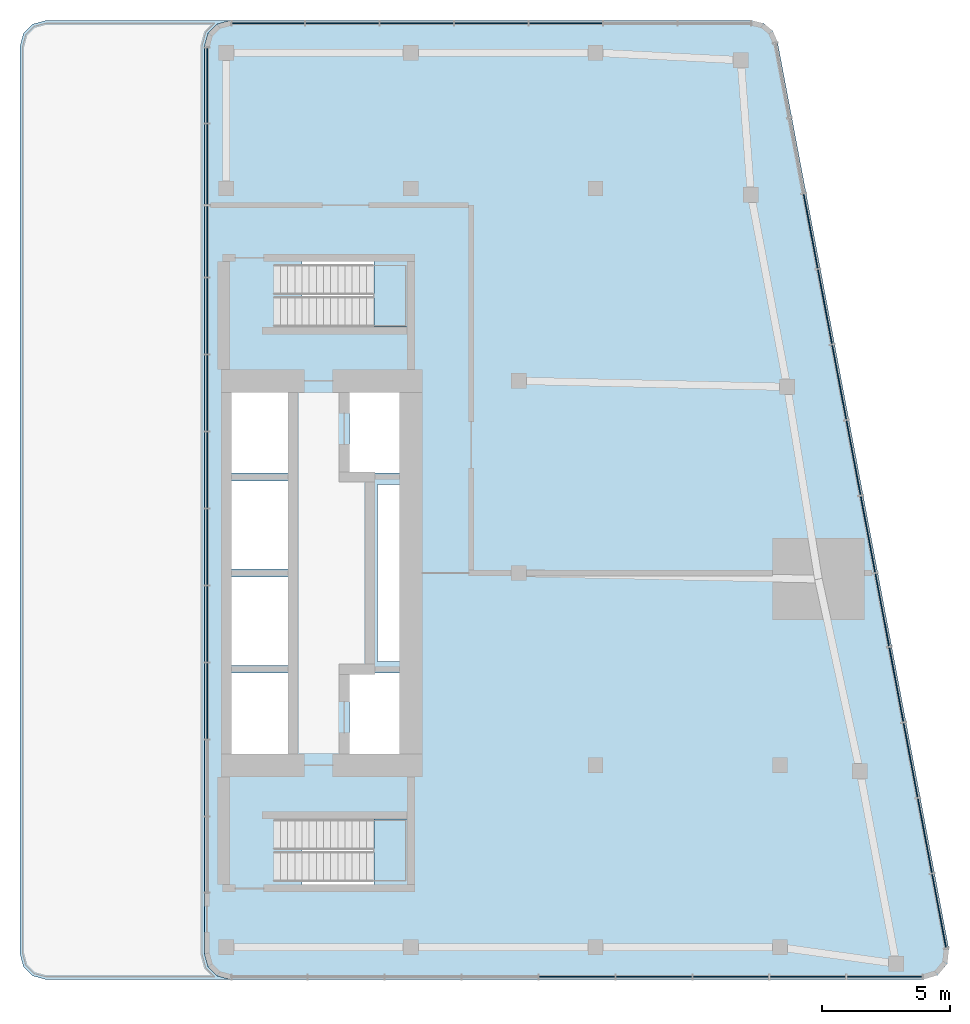
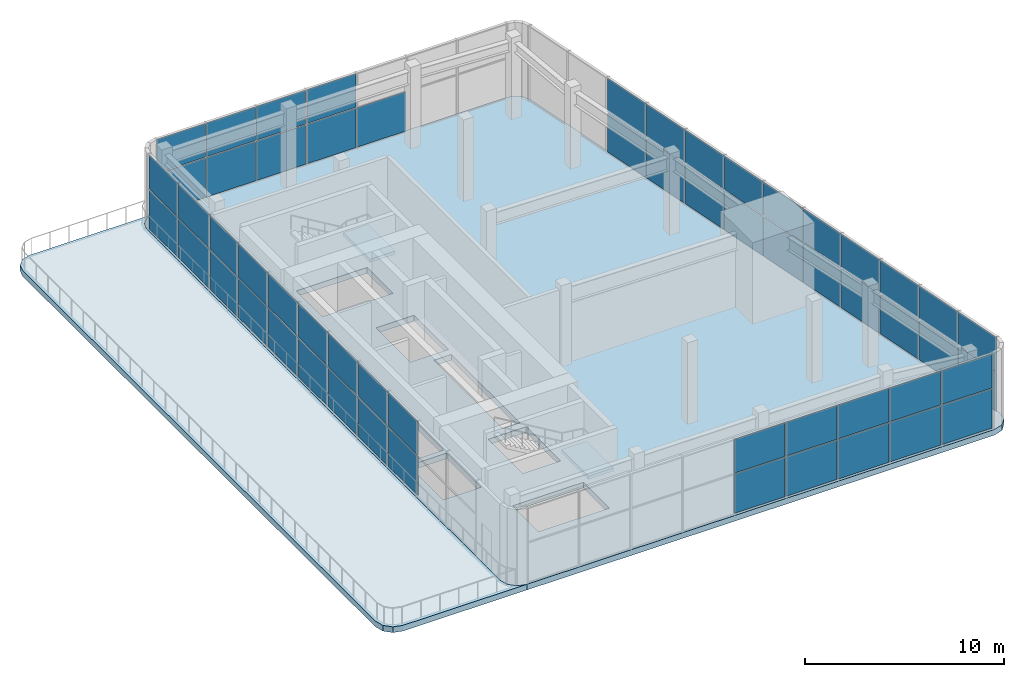
# One storey, part 4 of 8: 57 plates, 4 slabs, 6 elements without a shape of their own.
"""IFC4 building model written with IfcOpenShell, lengths in metres."""

from ifc_helpers import new_model, si_unit, direction, frame, origin, origin_2d, place, context, subcontext, project, spatial, polyline, rectangle, outline, extrude, material, layer, layer_set, type_object, element, aggregate, save


model = new_model("IFC4")

# Units and contexts
model_context = context("Model", 3, precision=1e-05, world=origin(), true_north=direction((0.0, 1.0)))
body_context = subcontext(model_context, "Body", "Model", "MODEL_VIEW")
ifc_project = project(units=[si_unit("LENGTHUNIT", "METRE"), si_unit("AREAUNIT", "SQUARE_METRE"), si_unit("VOLUMEUNIT", "CUBIC_METRE"), si_unit("PLANEANGLEUNIT", "RADIAN"), si_unit("MASSUNIT", "GRAM", prefix="KILO")], contexts=[model_context])

# Site, building, storey
site_placement = place(None, origin())
site = spatial("IfcSite", under=ifc_project, at=site_placement, CompositionType="ELEMENT")
building_placement = place(site_placement, origin())
building = spatial("IfcBuilding", under=site, at=building_placement, Name="Sheger Commons Tower", CompositionType="ELEMENT")
storey_placement = place(building_placement, frame((0.0, 0.0, 296.60009765625)))
storey = spatial("IfcBuildingStorey", under=building, at=storey_placement, Name="L76", CompositionType="ELEMENT", Elevation=296.60009765625)

# Curtain wall, plates
ifc_material_1 = material(Name="Black aluminium curtain wall, dark tinted glazing", Category="aluminium")
curtain_wall_type = type_object("IfcCurtainWallType", Name="CURTAIN WALL CW6 LANTERN", PredefinedType="USERDEFINED", material=ifc_material_1)
curtain_wall_1_placement = place(storey_placement, origin())
curtain_wall_1 = element("IfcCurtainWall", 1, at=curtain_wall_1_placement, inside=storey, type_object=curtain_wall_type, Name="Curtain Wall Cw6 Lantern S1 L76", ObjectType="UNITISED CURTAIN WALL", PredefinedType="USERDEFINED")
ifc_material_2 = material(Name="Dark tinted double glazing, laminated inner and outer panes", Category="glass")
ifc_layer_1 = layer(ifc_material_2, 0.0439453125)
ifc_layer_set_1 = layer_set([ifc_layer_1], Name="GLAZED PANEL 44")
plate_type = type_object("IfcPlateType", Name="GLAZED PANEL 44", PredefinedType="CURTAIN_PANEL", material=ifc_layer_set_1)
plate_1_placement = place(storey_placement, frame((35.27490234375, 6.75, 0.06494140625), z_axis=(0.0, 0.0, 1.0), x_axis=(1.0, 0.0, 0.0)))
plate_1 = element("IfcPlate", 2, at=plate_1_placement, type_object=plate_type, Name="CW6 panel 5.1", PredefinedType="CURTAIN_PANEL", context=body_context, shape_type="SweptSolid", body=[
    extrude(rectangle(XDim=2.937744140625, YDim=0.0439453125, at=origin_2d()), origin(), (0.0, 0.0, 1.0), 2.402587890625),
])
plate_2_placement = place(storey_placement, frame((35.27490234375, 6.75, 2.5322265625), z_axis=(0.0, 0.0, 1.0), x_axis=(1.0, 0.0, 0.0)))
plate_2 = element("IfcPlate", 3, at=plate_2_placement, type_object=plate_type, Name="CW6 panel 5.2", PredefinedType="CURTAIN_PANEL", context=body_context, shape_type="SweptSolid", body=[
    extrude(rectangle(XDim=2.937744140625, YDim=0.0439453125, at=origin_2d()), origin(), (0.0, 0.0, 1.0), 2.052490234375),
])
plate_3_placement = place(storey_placement, frame((38.277587890625, 6.75, 0.06494140625), z_axis=(0.0, 0.0, 1.0), x_axis=(1.0, 0.0, 0.0)))
plate_3 = element("IfcPlate", 4, at=plate_3_placement, type_object=plate_type, Name="CW6 panel 6.1", PredefinedType="CURTAIN_PANEL", context=body_context, shape_type="SweptSolid", body=[
    extrude(rectangle(XDim=2.937744140625, YDim=0.0439453125, at=origin_2d()), origin(), (0.0, 0.0, 1.0), 2.402587890625),
])
plate_4_placement = place(storey_placement, frame((38.277587890625, 6.75, 2.5322265625), z_axis=(0.0, 0.0, 1.0), x_axis=(1.0, 0.0, 0.0)))
plate_4 = element("IfcPlate", 5, at=plate_4_placement, type_object=plate_type, Name="CW6 panel 6.2", PredefinedType="CURTAIN_PANEL", context=body_context, shape_type="SweptSolid", body=[
    extrude(rectangle(XDim=2.937744140625, YDim=0.0439453125, at=origin_2d()), origin(), (0.0, 0.0, 1.0), 2.052490234375),
])
plate_5_placement = place(storey_placement, frame((41.2802734375, 6.75, 0.06494140625), z_axis=(0.0, 0.0, 1.0), x_axis=(1.0, 0.0, 0.0)))
plate_5 = element("IfcPlate", 6, at=plate_5_placement, type_object=plate_type, Name="CW6 panel 7.1", PredefinedType="CURTAIN_PANEL", context=body_context, shape_type="SweptSolid", body=[
    extrude(rectangle(XDim=2.937744140625, YDim=0.0439453125, at=origin_2d()), origin(), (0.0, 0.0, 1.0), 2.402587890625),
])
plate_6_placement = place(storey_placement, frame((41.2802734375, 6.75, 2.5322265625), z_axis=(0.0, 0.0, 1.0), x_axis=(1.0, 0.0, 0.0)))
plate_6 = element("IfcPlate", 7, at=plate_6_placement, type_object=plate_type, Name="CW6 panel 7.2", PredefinedType="CURTAIN_PANEL", context=body_context, shape_type="SweptSolid", body=[
    extrude(rectangle(XDim=2.937744140625, YDim=0.0439453125, at=origin_2d()), origin(), (0.0, 0.0, 1.0), 2.052490234375),
])
plate_7_placement = place(storey_placement, frame((44.282958984375, 6.75, 0.06494140625), z_axis=(0.0, 0.0, 1.0), x_axis=(1.0, 0.0, 0.0)))
plate_7 = element("IfcPlate", 8, at=plate_7_placement, type_object=plate_type, Name="CW6 panel 8.1", PredefinedType="CURTAIN_PANEL", context=body_context, shape_type="SweptSolid", body=[
    extrude(rectangle(XDim=2.937744140625, YDim=0.0439453125, at=origin_2d()), origin(), (0.0, 0.0, 1.0), 2.402587890625),
])
plate_8_placement = place(storey_placement, frame((44.282958984375, 6.75, 2.5322265625), z_axis=(0.0, 0.0, 1.0), x_axis=(1.0, 0.0, 0.0)))
plate_8 = element("IfcPlate", 9, at=plate_8_placement, type_object=plate_type, Name="CW6 panel 8.2", PredefinedType="CURTAIN_PANEL", context=body_context, shape_type="SweptSolid", body=[
    extrude(rectangle(XDim=2.937744140625, YDim=0.0439453125, at=origin_2d()), origin(), (0.0, 0.0, 1.0), 2.052490234375),
])
plate_9_placement = place(storey_placement, frame((47.26953125, 6.75, 0.06494140625), z_axis=(0.0, 0.0, 1.0), x_axis=(1.0, 0.0, 0.0)))
plate_9 = element("IfcPlate", 10, at=plate_9_placement, type_object=plate_type, Name="CW6 panel 9.1", PredefinedType="CURTAIN_PANEL", context=body_context, shape_type="SweptSolid", body=[
    extrude(rectangle(XDim=2.9052734375, YDim=0.0439453125, at=origin_2d()), origin(), (0.0, 0.0, 1.0), 2.402587890625),
])
plate_10_placement = place(storey_placement, frame((47.26953125, 6.75, 2.5322265625), z_axis=(0.0, 0.0, 1.0), x_axis=(1.0, 0.0, 0.0)))
plate_10 = element("IfcPlate", 11, at=plate_10_placement, type_object=plate_type, Name="CW6 panel 9.2", PredefinedType="CURTAIN_PANEL", context=body_context, shape_type="SweptSolid", body=[
    extrude(rectangle(XDim=2.9052734375, YDim=0.0439453125, at=origin_2d()), origin(), (0.0, 0.0, 1.0), 2.052490234375),
])
aggregate(curtain_wall_1, [plate_1, plate_2, plate_3, plate_4, plate_5, plate_6, plate_7, plate_8, plate_9, plate_10])

curtain_wall_2_placement = place(storey_placement, origin())
curtain_wall_2 = element("IfcCurtainWall", 12, at=curtain_wall_2_placement, inside=storey, type_object=curtain_wall_type, Name="Curtain Wall Cw6 Lantern E1 L76", ObjectType="UNITISED CURTAIN WALL", PredefinedType="USERDEFINED")
plate_11_placement = place(storey_placement, frame((49.402587890625, 9.322021484375, 0.06494140625), z_axis=(0.0, 0.0, 1.0), x_axis=(-0.185613331041, 0.982622863229, 0.0)))
plate_11 = element("IfcPlate", 13, at=plate_11_placement, type_object=plate_type, Name="CW6 panel 1.1", PredefinedType="CURTAIN_PANEL", context=body_context, shape_type="SweptSolid", body=[
    extrude(rectangle(XDim=2.902587890625, YDim=0.0439453125, at=origin_2d()), origin(), (0.0, 0.0, 1.0), 2.402587890625),
])
plate_12_placement = place(storey_placement, frame((49.402587890625, 9.322021484375, 2.5322265625), z_axis=(0.0, 0.0, 1.0), x_axis=(-0.185613331041, 0.982622863229, 0.0)))
plate_12 = element("IfcPlate", 14, at=plate_12_placement, type_object=plate_type, Name="CW6 panel 1.2", PredefinedType="CURTAIN_PANEL", context=body_context, shape_type="SweptSolid", body=[
    extrude(rectangle(XDim=2.902587890625, YDim=0.0439453125, at=origin_2d()), origin(), (0.0, 0.0, 1.0), 2.052490234375),
])
plate_13_placement = place(storey_placement, frame((48.8486328125, 12.25390625, 0.06494140625), z_axis=(0.0, 0.0, 1.0), x_axis=(-0.185613331041, 0.982622863229, 0.0)))
plate_13 = element("IfcPlate", 15, at=plate_13_placement, type_object=plate_type, Name="CW6 panel 2.1", PredefinedType="CURTAIN_PANEL", context=body_context, shape_type="SweptSolid", body=[
    extrude(rectangle(XDim=2.93505859375, YDim=0.0439453125, at=origin_2d()), origin(), (0.0, 0.0, 1.0), 2.402587890625),
])
plate_14_placement = place(storey_placement, frame((48.8486328125, 12.25390625, 2.5322265625), z_axis=(0.0, 0.0, 1.0), x_axis=(-0.185613331041, 0.982622863229, 0.0)))
plate_14 = element("IfcPlate", 16, at=plate_14_placement, type_object=plate_type, Name="CW6 panel 2.2", PredefinedType="CURTAIN_PANEL", context=body_context, shape_type="SweptSolid", body=[
    extrude(rectangle(XDim=2.93505859375, YDim=0.0439453125, at=origin_2d()), origin(), (0.0, 0.0, 1.0), 2.052490234375),
])
plate_15_placement = place(storey_placement, frame((48.2919921875, 15.20166015625, 0.06494140625), z_axis=(0.0, 0.0, 1.0), x_axis=(-0.185613331041, 0.982622863229, 0.0)))
plate_15 = element("IfcPlate", 17, at=plate_15_placement, type_object=plate_type, Name="CW6 panel 3.1", PredefinedType="CURTAIN_PANEL", context=body_context, shape_type="SweptSolid", body=[
    extrude(rectangle(XDim=2.93505859375, YDim=0.0439453125, at=origin_2d()), origin(), (0.0, 0.0, 1.0), 2.402587890625),
])
plate_16_placement = place(storey_placement, frame((48.2919921875, 15.20166015625, 2.5322265625), z_axis=(0.0, 0.0, 1.0), x_axis=(-0.185613331041, 0.982622863229, 0.0)))
plate_16 = element("IfcPlate", 18, at=plate_16_placement, type_object=plate_type, Name="CW6 panel 3.2", PredefinedType="CURTAIN_PANEL", context=body_context, shape_type="SweptSolid", body=[
    extrude(rectangle(XDim=2.93505859375, YDim=0.0439453125, at=origin_2d()), origin(), (0.0, 0.0, 1.0), 2.052490234375),
])
plate_17_placement = place(storey_placement, frame((47.735107421875, 18.149658203125, 0.06494140625), z_axis=(0.0, 0.0, 1.0), x_axis=(-0.185613331041, 0.982622863229, 0.0)))
plate_17 = element("IfcPlate", 19, at=plate_17_placement, type_object=plate_type, Name="CW6 panel 4.1", PredefinedType="CURTAIN_PANEL", context=body_context, shape_type="SweptSolid", body=[
    extrude(rectangle(XDim=2.93505859375, YDim=0.0439453125, at=origin_2d()), origin(), (0.0, 0.0, 1.0), 2.402587890625),
])
plate_18_placement = place(storey_placement, frame((47.735107421875, 18.149658203125, 2.5322265625), z_axis=(0.0, 0.0, 1.0), x_axis=(-0.185613331041, 0.982622863229, 0.0)))
plate_18 = element("IfcPlate", 20, at=plate_18_placement, type_object=plate_type, Name="CW6 panel 4.2", PredefinedType="CURTAIN_PANEL", context=body_context, shape_type="SweptSolid", body=[
    extrude(rectangle(XDim=2.93505859375, YDim=0.0439453125, at=origin_2d()), origin(), (0.0, 0.0, 1.0), 2.052490234375),
])
plate_19_placement = place(storey_placement, frame((47.18505859375, 21.0615234375, 0.06494140625), z_axis=(0.0, 0.0, 1.0), x_axis=(-0.185613331041, 0.982622863229, 0.0)))
plate_19 = element("IfcPlate", 21, at=plate_19_placement, type_object=plate_type, Name="CW6 panel 5.1", PredefinedType="CURTAIN_PANEL", context=body_context, shape_type="SweptSolid", body=[
    extrude(rectangle(XDim=2.862060546875, YDim=0.0439453125, at=origin_2d()), origin(), (0.0, 0.0, 1.0), 2.402587890625),
])
plate_20_placement = place(storey_placement, frame((47.18505859375, 21.0615234375, 2.5322265625), z_axis=(0.0, 0.0, 1.0), x_axis=(-0.185613331041, 0.982622863229, 0.0)))
plate_20 = element("IfcPlate", 22, at=plate_20_placement, type_object=plate_type, Name="CW6 panel 5.2", PredefinedType="CURTAIN_PANEL", context=body_context, shape_type="SweptSolid", body=[
    extrude(rectangle(XDim=2.862060546875, YDim=0.0439453125, at=origin_2d()), origin(), (0.0, 0.0, 1.0), 2.052490234375),
])
plate_21_placement = place(storey_placement, frame((46.628173828125, 24.009521484375, 0.06494140625), z_axis=(0.0, 0.0, 1.0), x_axis=(-0.185613331041, 0.982622863229, 0.0)))
plate_21 = element("IfcPlate", 23, at=plate_21_placement, type_object=plate_type, Name="CW6 panel 6.1", PredefinedType="CURTAIN_PANEL", context=body_context, shape_type="SweptSolid", body=[
    extrude(rectangle(XDim=3.008056640625, YDim=0.0439453125, at=origin_2d()), origin(), (0.0, 0.0, 1.0), 2.402587890625),
])
plate_22_placement = place(storey_placement, frame((46.628173828125, 24.009521484375, 2.5322265625), z_axis=(0.0, 0.0, 1.0), x_axis=(-0.185613331041, 0.982622863229, 0.0)))
plate_22 = element("IfcPlate", 24, at=plate_22_placement, type_object=plate_type, Name="CW6 panel 6.2", PredefinedType="CURTAIN_PANEL", context=body_context, shape_type="SweptSolid", body=[
    extrude(rectangle(XDim=3.008056640625, YDim=0.0439453125, at=origin_2d()), origin(), (0.0, 0.0, 1.0), 2.052490234375),
])
plate_23_placement = place(storey_placement, frame((46.064453125, 26.9931640625, 0.06494140625), z_axis=(0.0, 0.0, 1.0), x_axis=(-0.185613331041, 0.982622863229, 0.0)))
plate_23 = element("IfcPlate", 25, at=plate_23_placement, type_object=plate_type, Name="CW6 panel 7.1", PredefinedType="CURTAIN_PANEL", context=body_context, shape_type="SweptSolid", body=[
    extrude(rectangle(XDim=2.93505859375, YDim=0.0439453125, at=origin_2d()), origin(), (0.0, 0.0, 1.0), 2.402587890625),
])
plate_24_placement = place(storey_placement, frame((46.064453125, 26.9931640625, 2.5322265625), z_axis=(0.0, 0.0, 1.0), x_axis=(-0.185613331041, 0.982622863229, 0.0)))
plate_24 = element("IfcPlate", 26, at=plate_24_placement, type_object=plate_type, Name="CW6 panel 7.2", PredefinedType="CURTAIN_PANEL", context=body_context, shape_type="SweptSolid", body=[
    extrude(rectangle(XDim=2.93505859375, YDim=0.0439453125, at=origin_2d()), origin(), (0.0, 0.0, 1.0), 2.052490234375),
])
plate_25_placement = place(storey_placement, frame((45.5078125, 29.94091796875, 0.06494140625), z_axis=(0.0, 0.0, 1.0), x_axis=(-0.185613331041, 0.982622863229, 0.0)))
plate_25 = element("IfcPlate", 27, at=plate_25_placement, type_object=plate_type, Name="CW6 panel 8.1", PredefinedType="CURTAIN_PANEL", context=body_context, shape_type="SweptSolid", body=[
    extrude(rectangle(XDim=2.93505859375, YDim=0.0439453125, at=origin_2d()), origin(), (0.0, 0.0, 1.0), 2.402587890625),
])
plate_26_placement = place(storey_placement, frame((45.5078125, 29.94091796875, 2.5322265625), z_axis=(0.0, 0.0, 1.0), x_axis=(-0.185613331041, 0.982622863229, 0.0)))
plate_26 = element("IfcPlate", 28, at=plate_26_placement, type_object=plate_type, Name="CW6 panel 8.2", PredefinedType="CURTAIN_PANEL", context=body_context, shape_type="SweptSolid", body=[
    extrude(rectangle(XDim=2.93505859375, YDim=0.0439453125, at=origin_2d()), origin(), (0.0, 0.0, 1.0), 2.052490234375),
])
plate_27_placement = place(storey_placement, frame((44.950927734375, 32.888916015625, 0.06494140625), z_axis=(0.0, 0.0, 1.0), x_axis=(-0.185613331041, 0.982622863229, 0.0)))
plate_27 = element("IfcPlate", 29, at=plate_27_placement, type_object=plate_type, Name="CW6 panel 9.1", PredefinedType="CURTAIN_PANEL", context=body_context, shape_type="SweptSolid", body=[
    extrude(rectangle(XDim=2.93505859375, YDim=0.0439453125, at=origin_2d()), origin(), (0.0, 0.0, 1.0), 2.402587890625),
])
plate_28_placement = place(storey_placement, frame((44.950927734375, 32.888916015625, 2.5322265625), z_axis=(0.0, 0.0, 1.0), x_axis=(-0.185613331041, 0.982622863229, 0.0)))
plate_28 = element("IfcPlate", 30, at=plate_28_placement, type_object=plate_type, Name="CW6 panel 9.2", PredefinedType="CURTAIN_PANEL", context=body_context, shape_type="SweptSolid", body=[
    extrude(rectangle(XDim=2.93505859375, YDim=0.0439453125, at=origin_2d()), origin(), (0.0, 0.0, 1.0), 2.052490234375),
])
plate_29_placement = place(storey_placement, frame((44.39404296875, 35.836669921875, 0.06494140625), z_axis=(0.0, 0.0, 1.0), x_axis=(-0.185613331041, 0.982622863229, 0.0)))
plate_29 = element("IfcPlate", 31, at=plate_29_placement, type_object=plate_type, Name="CW6 panel 10.1", PredefinedType="CURTAIN_PANEL", context=body_context, shape_type="SweptSolid", body=[
    extrude(rectangle(XDim=2.93505859375, YDim=0.0439453125, at=origin_2d()), origin(), (0.0, 0.0, 1.0), 2.402587890625),
])
plate_30_placement = place(storey_placement, frame((44.39404296875, 35.836669921875, 2.5322265625), z_axis=(0.0, 0.0, 1.0), x_axis=(-0.185613331041, 0.982622863229, 0.0)))
plate_30 = element("IfcPlate", 32, at=plate_30_placement, type_object=plate_type, Name="CW6 panel 10.2", PredefinedType="CURTAIN_PANEL", context=body_context, shape_type="SweptSolid", body=[
    extrude(rectangle(XDim=2.93505859375, YDim=0.0439453125, at=origin_2d()), origin(), (0.0, 0.0, 1.0), 2.052490234375),
])
aggregate(curtain_wall_2, [plate_11, plate_12, plate_13, plate_14, plate_15, plate_16, plate_17, plate_18, plate_19, plate_20, plate_21, plate_22, plate_23, plate_24, plate_25, plate_26, plate_27, plate_28, plate_29, plate_30])

curtain_wall_3_placement = place(storey_placement, origin())
curtain_wall_3 = element("IfcCurtainWall", 33, at=curtain_wall_3_placement, inside=storey, type_object=curtain_wall_type, Name="Curtain Wall Cw6 Lantern N1 L76", ObjectType="UNITISED CURTAIN WALL", PredefinedType="USERDEFINED")
plate_31_placement = place(storey_placement, frame((34.838623046875, 43.949951171875, 0.06494140625), z_axis=(0.0, 0.0, 1.0), x_axis=(-1.0, 0.0, 0.0)))
plate_31 = element("IfcPlate", 34, at=plate_31_placement, type_object=plate_type, Name="CW6 panel 3.1", PredefinedType="CURTAIN_PANEL", context=body_context, shape_type="SweptSolid", body=[
    extrude(rectangle(XDim=2.8408203125, YDim=0.0439453125, at=origin_2d()), origin(), (0.0, 0.0, 1.0), 2.402587890625),
])
plate_32_placement = place(storey_placement, frame((31.93310546875, 43.949951171875, 0.06494140625), z_axis=(0.0, 0.0, 1.0), x_axis=(-1.0, 0.0, 0.0)))
plate_32 = element("IfcPlate", 35, at=plate_32_placement, type_object=plate_type, Name="CW6 panel 4.1", PredefinedType="CURTAIN_PANEL", context=body_context, shape_type="SweptSolid", body=[
    extrude(rectangle(XDim=2.8408203125, YDim=0.0439453125, at=origin_2d()), origin(), (0.0, 0.0, 1.0), 2.402587890625),
])
plate_33_placement = place(storey_placement, frame((31.93310546875, 43.949951171875, 2.5322265625), z_axis=(0.0, 0.0, 1.0), x_axis=(-1.0, 0.0, 0.0)))
plate_33 = element("IfcPlate", 36, at=plate_33_placement, type_object=plate_type, Name="CW6 panel 4.2", PredefinedType="CURTAIN_PANEL", context=body_context, shape_type="SweptSolid", body=[
    extrude(rectangle(XDim=2.8408203125, YDim=0.0439453125, at=origin_2d()), origin(), (0.0, 0.0, 1.0), 2.052490234375),
])
plate_34_placement = place(storey_placement, frame((29.02734375, 43.949951171875, 0.06494140625), z_axis=(0.0, 0.0, 1.0), x_axis=(-1.0, 0.0, 0.0)))
plate_34 = element("IfcPlate", 37, at=plate_34_placement, type_object=plate_type, Name="CW6 panel 5.1", PredefinedType="CURTAIN_PANEL", context=body_context, shape_type="SweptSolid", body=[
    extrude(rectangle(XDim=2.8408203125, YDim=0.0439453125, at=origin_2d()), origin(), (0.0, 0.0, 1.0), 2.402587890625),
])
plate_35_placement = place(storey_placement, frame((29.02734375, 43.949951171875, 2.5322265625), z_axis=(0.0, 0.0, 1.0), x_axis=(-1.0, 0.0, 0.0)))
plate_35 = element("IfcPlate", 38, at=plate_35_placement, type_object=plate_type, Name="CW6 panel 5.2", PredefinedType="CURTAIN_PANEL", context=body_context, shape_type="SweptSolid", body=[
    extrude(rectangle(XDim=2.8408203125, YDim=0.0439453125, at=origin_2d()), origin(), (0.0, 0.0, 1.0), 2.052490234375),
])
plate_36_placement = place(storey_placement, frame((26.12158203125, 43.949951171875, 0.06494140625), z_axis=(0.0, 0.0, 1.0), x_axis=(-1.0, 0.0, 0.0)))
plate_36 = element("IfcPlate", 39, at=plate_36_placement, type_object=plate_type, Name="CW6 panel 6.1", PredefinedType="CURTAIN_PANEL", context=body_context, shape_type="SweptSolid", body=[
    extrude(rectangle(XDim=2.8408203125, YDim=0.0439453125, at=origin_2d()), origin(), (0.0, 0.0, 1.0), 2.402587890625),
])
plate_37_placement = place(storey_placement, frame((26.12158203125, 43.949951171875, 2.5322265625), z_axis=(0.0, 0.0, 1.0), x_axis=(-1.0, 0.0, 0.0)))
plate_37 = element("IfcPlate", 40, at=plate_37_placement, type_object=plate_type, Name="CW6 panel 6.2", PredefinedType="CURTAIN_PANEL", context=body_context, shape_type="SweptSolid", body=[
    extrude(rectangle(XDim=2.8408203125, YDim=0.0439453125, at=origin_2d()), origin(), (0.0, 0.0, 1.0), 2.052490234375),
])
plate_38_placement = place(storey_placement, frame((23.232177734375, 43.949951171875, 0.06494140625), z_axis=(0.0, 0.0, 1.0), x_axis=(-1.0, 0.0, 0.0)))
plate_38 = element("IfcPlate", 41, at=plate_38_placement, type_object=plate_type, Name="CW6 panel 7.1", PredefinedType="CURTAIN_PANEL", context=body_context, shape_type="SweptSolid", body=[
    extrude(rectangle(XDim=2.80810546875, YDim=0.0439453125, at=origin_2d()), origin(), (0.0, 0.0, 1.0), 2.402587890625),
])
plate_39_placement = place(storey_placement, frame((23.232177734375, 43.949951171875, 2.5322265625), z_axis=(0.0, 0.0, 1.0), x_axis=(-1.0, 0.0, 0.0)))
plate_39 = element("IfcPlate", 42, at=plate_39_placement, type_object=plate_type, Name="CW6 panel 7.2", PredefinedType="CURTAIN_PANEL", context=body_context, shape_type="SweptSolid", body=[
    extrude(rectangle(XDim=2.80810546875, YDim=0.0439453125, at=origin_2d()), origin(), (0.0, 0.0, 1.0), 2.052490234375),
])
aggregate(curtain_wall_3, [plate_31, plate_32, plate_33, plate_34, plate_35, plate_36, plate_37, plate_38, plate_39])

curtain_wall_4_placement = place(storey_placement, origin())
curtain_wall_4 = element("IfcCurtainWall", 43, at=curtain_wall_4_placement, inside=storey, type_object=curtain_wall_type, Name="Curtain Wall Cw6 Lantern W1 L76", ObjectType="UNITISED CURTAIN WALL", PredefinedType="USERDEFINED")
plate_40_placement = place(storey_placement, frame((20.85009765625, 41.519287109375, 0.06494140625), z_axis=(0.0, 0.0, 1.0), x_axis=(0.0, -1.0, 0.0)))
plate_40 = element("IfcPlate", 44, at=plate_40_placement, type_object=plate_type, Name="CW6 panel 1.1", PredefinedType="CURTAIN_PANEL", context=body_context, shape_type="SweptSolid", body=[
    extrude(rectangle(XDim=2.905517578125, YDim=0.0439453125, at=origin_2d()), origin(), (0.0, 0.0, 1.0), 2.402587890625),
])
plate_41_placement = place(storey_placement, frame((20.85009765625, 41.519287109375, 2.5322265625), z_axis=(0.0, 0.0, 1.0), x_axis=(0.0, -1.0, 0.0)))
plate_41 = element("IfcPlate", 45, at=plate_41_placement, type_object=plate_type, Name="CW6 panel 1.2", PredefinedType="CURTAIN_PANEL", context=body_context, shape_type="SweptSolid", body=[
    extrude(rectangle(XDim=2.905517578125, YDim=0.0439453125, at=origin_2d()), origin(), (0.0, 0.0, 1.0), 2.052490234375),
])
plate_42_placement = place(storey_placement, frame((20.85009765625, 38.44189453125, 0.06494140625), z_axis=(0.0, 0.0, 1.0), x_axis=(0.0, -1.0, 0.0)))
plate_42 = element("IfcPlate", 46, at=plate_42_placement, type_object=plate_type, Name="CW6 panel 2.1", PredefinedType="CURTAIN_PANEL", context=body_context, shape_type="SweptSolid", body=[
    extrude(rectangle(XDim=3.118896484375, YDim=0.0439453125, at=origin_2d()), origin(), (0.0, 0.0, 1.0), 2.402587890625),
])
plate_43_placement = place(storey_placement, frame((20.85009765625, 38.44189453125, 2.5322265625), z_axis=(0.0, 0.0, 1.0), x_axis=(0.0, -1.0, 0.0)))
plate_43 = element("IfcPlate", 47, at=plate_43_placement, type_object=plate_type, Name="CW6 panel 2.2", PredefinedType="CURTAIN_PANEL", context=body_context, shape_type="SweptSolid", body=[
    extrude(rectangle(XDim=3.118896484375, YDim=0.0439453125, at=origin_2d()), origin(), (0.0, 0.0, 1.0), 2.052490234375),
])
plate_44_placement = place(storey_placement, frame((20.85009765625, 35.4384765625, 0.06494140625), z_axis=(0.0, 0.0, 1.0), x_axis=(0.0, -1.0, 0.0)))
plate_44 = element("IfcPlate", 48, at=plate_44_placement, type_object=plate_type, Name="CW6 panel 3.1", PredefinedType="CURTAIN_PANEL", context=body_context, shape_type="SweptSolid", body=[
    extrude(rectangle(XDim=2.758056640625, YDim=0.0439453125, at=origin_2d()), origin(), (0.0, 0.0, 1.0), 2.402587890625),
])
plate_45_placement = place(storey_placement, frame((20.85009765625, 35.4384765625, 2.5322265625), z_axis=(0.0, 0.0, 1.0), x_axis=(0.0, -1.0, 0.0)))
plate_45 = element("IfcPlate", 49, at=plate_45_placement, type_object=plate_type, Name="CW6 panel 3.2", PredefinedType="CURTAIN_PANEL", context=body_context, shape_type="SweptSolid", body=[
    extrude(rectangle(XDim=2.758056640625, YDim=0.0439453125, at=origin_2d()), origin(), (0.0, 0.0, 1.0), 2.052490234375),
])
plate_46_placement = place(storey_placement, frame((20.85009765625, 32.525390625, 0.06494140625), z_axis=(0.0, 0.0, 1.0), x_axis=(0.0, -1.0, 0.0)))
plate_46 = element("IfcPlate", 50, at=plate_46_placement, type_object=plate_type, Name="CW6 panel 4.1", PredefinedType="CURTAIN_PANEL", context=body_context, shape_type="SweptSolid", body=[
    extrude(rectangle(XDim=2.93798828125, YDim=0.0439453125, at=origin_2d()), origin(), (0.0, 0.0, 1.0), 2.402587890625),
])
plate_47_placement = place(storey_placement, frame((20.85009765625, 32.525390625, 2.5322265625), z_axis=(0.0, 0.0, 1.0), x_axis=(0.0, -1.0, 0.0)))
plate_47 = element("IfcPlate", 51, at=plate_47_placement, type_object=plate_type, Name="CW6 panel 4.2", PredefinedType="CURTAIN_PANEL", context=body_context, shape_type="SweptSolid", body=[
    extrude(rectangle(XDim=2.93798828125, YDim=0.0439453125, at=origin_2d()), origin(), (0.0, 0.0, 1.0), 2.052490234375),
])
plate_48_placement = place(storey_placement, frame((20.85009765625, 29.52197265625, 0.06494140625), z_axis=(0.0, 0.0, 1.0), x_axis=(0.0, -1.0, 0.0)))
plate_48 = element("IfcPlate", 52, at=plate_48_placement, type_object=plate_type, Name="CW6 panel 5.1", PredefinedType="CURTAIN_PANEL", context=body_context, shape_type="SweptSolid", body=[
    extrude(rectangle(XDim=2.93896484375, YDim=0.0439453125, at=origin_2d()), origin(), (0.0, 0.0, 1.0), 2.402587890625),
])
plate_49_placement = place(storey_placement, frame((20.85009765625, 29.52197265625, 2.5322265625), z_axis=(0.0, 0.0, 1.0), x_axis=(0.0, -1.0, 0.0)))
plate_49 = element("IfcPlate", 53, at=plate_49_placement, type_object=plate_type, Name="CW6 panel 5.2", PredefinedType="CURTAIN_PANEL", context=body_context, shape_type="SweptSolid", body=[
    extrude(rectangle(XDim=2.93896484375, YDim=0.0439453125, at=origin_2d()), origin(), (0.0, 0.0, 1.0), 2.052490234375),
])
plate_50_placement = place(storey_placement, frame((20.85009765625, 26.5185546875, 0.06494140625), z_axis=(0.0, 0.0, 1.0), x_axis=(0.0, -1.0, 0.0)))
plate_50 = element("IfcPlate", 54, at=plate_50_placement, type_object=plate_type, Name="CW6 panel 6.1", PredefinedType="CURTAIN_PANEL", context=body_context, shape_type="SweptSolid", body=[
    extrude(rectangle(XDim=2.93798828125, YDim=0.0439453125, at=origin_2d()), origin(), (0.0, 0.0, 1.0), 2.402587890625),
])
plate_51_placement = place(storey_placement, frame((20.85009765625, 26.5185546875, 2.5322265625), z_axis=(0.0, 0.0, 1.0), x_axis=(0.0, -1.0, 0.0)))
plate_51 = element("IfcPlate", 55, at=plate_51_placement, type_object=plate_type, Name="CW6 panel 6.2", PredefinedType="CURTAIN_PANEL", context=body_context, shape_type="SweptSolid", body=[
    extrude(rectangle(XDim=2.93798828125, YDim=0.0439453125, at=origin_2d()), origin(), (0.0, 0.0, 1.0), 2.052490234375),
])
plate_52_placement = place(storey_placement, frame((20.85009765625, 23.514892578125, 0.06494140625), z_axis=(0.0, 0.0, 1.0), x_axis=(0.0, -1.0, 0.0)))
plate_52 = element("IfcPlate", 56, at=plate_52_placement, type_object=plate_type, Name="CW6 panel 7.1", PredefinedType="CURTAIN_PANEL", context=body_context, shape_type="SweptSolid", body=[
    extrude(rectangle(XDim=2.93896484375, YDim=0.0439453125, at=origin_2d()), origin(), (0.0, 0.0, 1.0), 2.402587890625),
])
plate_53_placement = place(storey_placement, frame((20.85009765625, 23.514892578125, 2.5322265625), z_axis=(0.0, 0.0, 1.0), x_axis=(0.0, -1.0, 0.0)))
plate_53 = element("IfcPlate", 57, at=plate_53_placement, type_object=plate_type, Name="CW6 panel 7.2", PredefinedType="CURTAIN_PANEL", context=body_context, shape_type="SweptSolid", body=[
    extrude(rectangle(XDim=2.93896484375, YDim=0.0439453125, at=origin_2d()), origin(), (0.0, 0.0, 1.0), 2.052490234375),
])
plate_54_placement = place(storey_placement, frame((20.85009765625, 20.511474609375, 0.06494140625), z_axis=(0.0, 0.0, 1.0), x_axis=(0.0, -1.0, 0.0)))
plate_54 = element("IfcPlate", 58, at=plate_54_placement, type_object=plate_type, Name="CW6 panel 8.1", PredefinedType="CURTAIN_PANEL", context=body_context, shape_type="SweptSolid", body=[
    extrude(rectangle(XDim=2.93798828125, YDim=0.0439453125, at=origin_2d()), origin(), (0.0, 0.0, 1.0), 2.402587890625),
])
plate_55_placement = place(storey_placement, frame((20.85009765625, 20.511474609375, 2.5322265625), z_axis=(0.0, 0.0, 1.0), x_axis=(0.0, -1.0, 0.0)))
plate_55 = element("IfcPlate", 59, at=plate_55_placement, type_object=plate_type, Name="CW6 panel 8.2", PredefinedType="CURTAIN_PANEL", context=body_context, shape_type="SweptSolid", body=[
    extrude(rectangle(XDim=2.93798828125, YDim=0.0439453125, at=origin_2d()), origin(), (0.0, 0.0, 1.0), 2.052490234375),
])
plate_56_placement = place(storey_placement, frame((20.85009765625, 17.508544921875, 0.06494140625), z_axis=(0.0, 0.0, 1.0), x_axis=(0.0, -1.0, 0.0)))
plate_56 = element("IfcPlate", 60, at=plate_56_placement, type_object=plate_type, Name="CW6 panel 9.1", PredefinedType="CURTAIN_PANEL", context=body_context, shape_type="SweptSolid", body=[
    extrude(rectangle(XDim=2.93798828125, YDim=0.0439453125, at=origin_2d()), origin(), (0.0, 0.0, 1.0), 2.402587890625),
])
plate_57_placement = place(storey_placement, frame((20.85009765625, 17.508544921875, 2.5322265625), z_axis=(0.0, 0.0, 1.0), x_axis=(0.0, -1.0, 0.0)))
plate_57 = element("IfcPlate", 61, at=plate_57_placement, type_object=plate_type, Name="CW6 panel 9.2", PredefinedType="CURTAIN_PANEL", context=body_context, shape_type="SweptSolid", body=[
    extrude(rectangle(XDim=2.93798828125, YDim=0.0439453125, at=origin_2d()), origin(), (0.0, 0.0, 1.0), 2.052490234375),
])
aggregate(curtain_wall_4, [plate_40, plate_41, plate_42, plate_43, plate_44, plate_45, plate_46, plate_47, plate_48, plate_49, plate_50, plate_51, plate_52, plate_53, plate_54, plate_55, plate_56, plate_57])

# Slabs
ifc_material_3 = material(Name="Concrete C35/45", Category="concrete")
ifc_layer_2 = layer(ifc_material_3, 0.35009765625)
ifc_layer_set_2 = layer_set([ifc_layer_2], Name="SLAB FLOOR 350")
slab_type_1 = type_object("IfcSlabType", Name="SLAB FLOOR 350", PredefinedType="FLOOR", material=ifc_layer_set_2)
slab_1_placement = place(storey_placement, frame((0.0, 0.0, -0.35009765625)))
element("IfcSlab", 62, at=slab_1_placement, inside=storey, type_object=slab_type_1, Name="L76 floor slab", PredefinedType="FLOOR", context=body_context, shape_type="SweptSolid", body=[
    extrude(outline(polyline([(20.75, 7.64990234375), (20.884033203125, 7.14990234375), (21.25, 6.783935546875), (21.75, 6.64990234375), (48.802001953125, 6.64990234375), (49.35498046875, 6.81689453125), (49.72412109375, 7.260986328125), (49.784912109375, 7.8359375), (43.097900390625, 43.236083984375), (42.912109375, 43.654052734375), (42.56005859375, 43.945068359375), (42.114990234375, 44.050048828125), (21.75, 44.050048828125), (21.25, 43.916015625), (20.884033203125, 43.550048828125), (20.75, 43.050048828125), (20.75, 7.64990234375)]), holes=[polyline([(24.550048828125, 10.35009765625), (28.64990234375, 10.35009765625), (28.64990234375, 12.949951171875), (24.551025390625, 12.949951171875), (24.551025390625, 11.75), (24.550048828125, 11.75), (24.550048828125, 10.35009765625)]), polyline([(24.551025390625, 32.050048828125), (28.64990234375, 32.050048828125), (28.64990234375, 34.64990234375), (24.550048828125, 34.64990234375), (24.550048828125, 33.25), (24.551025390625, 33.25), (24.551025390625, 32.050048828125)]), polyline([(26.39990234375, 15.14990234375), (28.60009765625, 15.14990234375), (28.60009765625, 18.60009765625), (26.39990234375, 18.60009765625), (26.39990234375, 15.14990234375)]), polyline([(26.39990234375, 26.39990234375), (28.60009765625, 26.39990234375), (28.60009765625, 29.85009765625), (26.39990234375, 29.85009765625), (26.39990234375, 26.39990234375)]), polyline([(21.800048828125, 15.14990234375), (24.0, 15.14990234375), (24.0, 18.60009765625), (21.800048828125, 18.60009765625), (21.800048828125, 15.14990234375)]), polyline([(21.800048828125, 18.89990234375), (24.0, 18.89990234375), (24.0, 22.35009765625), (21.800048828125, 22.35009765625), (21.800048828125, 18.89990234375)]), polyline([(21.800048828125, 22.64990234375), (24.0, 22.64990234375), (24.0, 26.10009765625), (21.800048828125, 26.10009765625), (21.800048828125, 22.64990234375)]), polyline([(21.800048828125, 26.39990234375), (24.0, 26.39990234375), (24.0, 29.85009765625), (21.800048828125, 29.85009765625), (21.800048828125, 26.39990234375)]), polyline([(27.5, 19.050048828125), (28.5, 19.050048828125), (28.5, 25.949951171875), (27.5, 25.949951171875), (27.5, 19.050048828125)])]), origin(), (0.0, 0.0, 1.0), 0.35009765625),
])
ifc_material_4 = material(Name="Concrete C35/45", Category="concrete")
ifc_layer_3 = layer(ifc_material_4, 0.35009765625)
ifc_layer_set_3 = layer_set([ifc_layer_3], Name="SLAB ROOF 350")
slab_type_2 = type_object("IfcSlabType", Name="SLAB ROOF 350", PredefinedType="ROOF", material=ifc_layer_set_3)
slab_2_placement = place(storey_placement, frame((0.0, 0.0, -0.35009765625)))
element("IfcSlab", 63, at=slab_2_placement, inside=storey, type_object=slab_type_2, Name="Maintenance roof", PredefinedType="ROOF", context=body_context, shape_type="SweptSolid", body=[
    extrude(outline(polyline([(14.550048828125, 6.64990234375), (21.75, 6.64990234375), (21.25, 6.783935546875), (20.884033203125, 7.14990234375), (20.75, 7.64990234375), (20.75, 43.050048828125), (20.884033203125, 43.550048828125), (21.25, 43.916015625), (21.75, 44.050048828125), (14.550048828125, 44.050048828125), (14.050048828125, 43.916015625), (13.68408203125, 43.550048828125), (13.550048828125, 43.050048828125), (13.550048828125, 7.64990234375), (13.68408203125, 7.14990234375), (14.050048828125, 6.783935546875), (14.550048828125, 6.64990234375)])), origin(), (0.0, 0.0, 1.0), 0.35009765625),
])

# Stair, slab
ifc_material_5 = material(Name="Concrete C35/45", Category="concrete")
stair_type = type_object("IfcStairType", Name="HALF-TURN STAIR 1200 RISE 5000", PredefinedType="HALF_TURN_STAIR", material=ifc_material_5)
stair_1_placement = place(storey_placement, origin())
stair_1 = element("IfcStair", 64, at=stair_1_placement, inside=storey, type_object=stair_type, Name="Stair S1 L76", PredefinedType="HALF_TURN_STAIR")
ifc_material_6 = material(Name="Concrete C35/45", Category="concrete")
ifc_layer_4 = layer(ifc_material_6, 0.199951171875)
ifc_layer_set_4 = layer_set([ifc_layer_4], Name="STAIR LANDING 200")
slab_type_3 = type_object("IfcSlabType", Name="STAIR LANDING 200", PredefinedType="LANDING", material=ifc_layer_set_4)
slab_3_placement = place(storey_placement, frame((0.0, 0.0, 2.2998046875)))
slab_3 = element("IfcSlab", 65, at=slab_3_placement, type_object=slab_type_3, Name="S1 landing 1", PredefinedType="LANDING", context=body_context, shape_type="SweptSolid", body=[
    extrude(outline(polyline([(27.35009765625, 10.199951171875), (28.800048828125, 10.199951171875), (28.800048828125, 12.89990234375), (27.35009765625, 12.89990234375), (27.35009765625, 10.199951171875)])), origin(), (0.0, 0.0, 1.0), 0.2001953125),
])
aggregate(stair_1, [slab_3])

stair_2_placement = place(storey_placement, origin())
stair_2 = element("IfcStair", 66, at=stair_2_placement, inside=storey, type_object=stair_type, Name="Stair S2 L76", PredefinedType="HALF_TURN_STAIR")
slab_4_placement = place(storey_placement, frame((0.0, 0.0, 2.2998046875)))
slab_4 = element("IfcSlab", 67, at=slab_4_placement, type_object=slab_type_3, Name="S2 landing 1", PredefinedType="LANDING", context=body_context, shape_type="SweptSolid", body=[
    extrude(outline(polyline([(27.35009765625, 32.10009765625), (28.800048828125, 32.10009765625), (28.800048828125, 34.800048828125), (27.35009765625, 34.800048828125), (27.35009765625, 32.10009765625)])), origin(), (0.0, 0.0, 1.0), 0.2001953125),
])
aggregate(stair_2, [slab_4])

save(model, "model.ifc")
